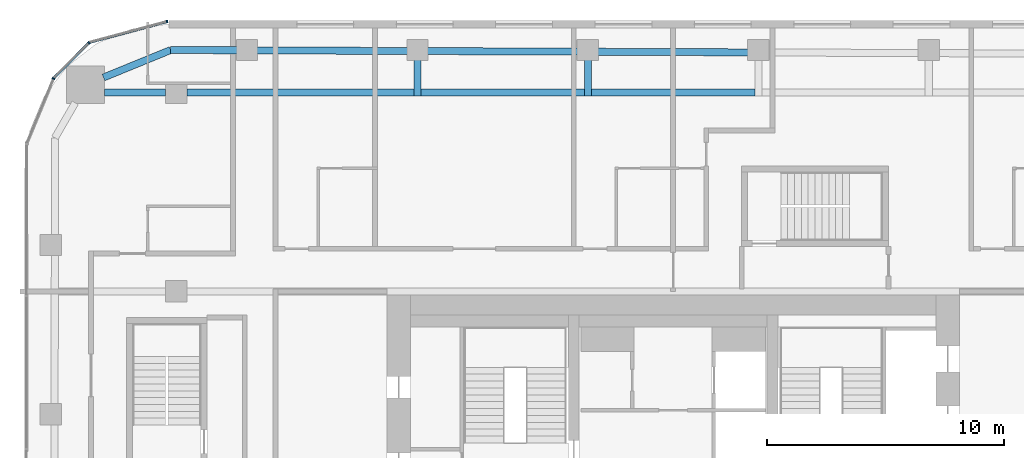
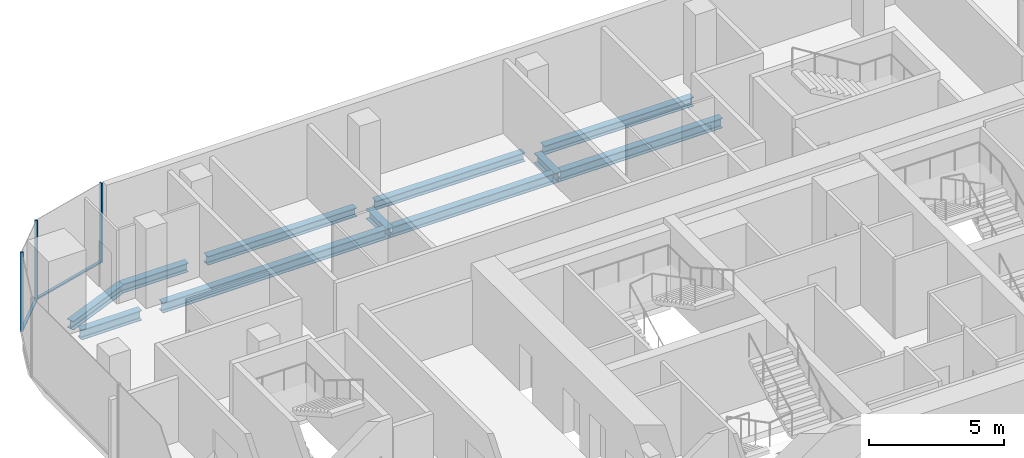
# One storey, part 10 of 23: 11 beams, 5 members, 3 elements without a shape of their own.
"""IFC4 building model written with IfcOpenShell, lengths in metres."""

from ifc_helpers import new_model, si_unit, direction, frame, origin, origin_2d, place, context, subcontext, project, spatial, rectangle, i_section, extrude, material, layer, layer_set, material_profile, profile_set, type_object, element, aggregate, save


model = new_model("IFC4")

# Units and contexts
model_context = context("Model", 3, precision=1e-05, world=origin(), true_north=direction((0.0, 1.0)))
body_context = subcontext(model_context, "Body", "Model", "MODEL_VIEW")
ifc_project = project(units=[si_unit("LENGTHUNIT", "METRE"), si_unit("AREAUNIT", "SQUARE_METRE"), si_unit("VOLUMEUNIT", "CUBIC_METRE"), si_unit("PLANEANGLEUNIT", "RADIAN"), si_unit("MASSUNIT", "GRAM", prefix="KILO")], contexts=[model_context])

# Site, building, storey
site_placement = place(None, origin())
site = spatial("IfcSite", under=ifc_project, at=site_placement, CompositionType="ELEMENT")
building_placement = place(site_placement, origin())
building = spatial("IfcBuilding", under=site, at=building_placement, Name="Marenta Gate Hotel Tower", CompositionType="ELEMENT")
storey_placement = place(building_placement, frame((0.0, 0.0, 140.89990234375)))
storey = spatial("IfcBuildingStorey", under=building, at=storey_placement, Name="L32", CompositionType="ELEMENT", Elevation=140.89990234375)

# Beams
ifc_material_1 = material(Name="Steel S355", Category="steel")
ifc_material_profile_1 = material_profile(ifc_material_1, i_section(OverallWidth=0.300048828125, OverallDepth=0.39990234375, WebThickness=0.013427734375, FlangeThickness=0.02392578125, FilletRadius=0.027099609375, at=origin_2d()), Name="HEB 400")
ifc_profile_set_1 = profile_set([ifc_material_profile_1], Name="Steel S355")
beam_type_1 = type_object("IfcBeamType", Name="Edge beam HEB 400", PredefinedType="SPANDREL", material=ifc_profile_set_1)
beam_1_placement = place(storey_placement, frame((-24.072509765625, 25.839111328125, -0.4599609375), z_axis=(0.925565978946, 0.378586342356, 0.0), x_axis=(-0.378586342356, 0.925565978946, 0.0)))
element("IfcBeam", 1, at=beam_1_placement, inside=storey, type_object=beam_type_1, Name="L32-EB-12", PredefinedType="SPANDREL", context=body_context, shape_type="SweptSolid", body=[
    extrude(i_section(OverallWidth=0.300048828125, OverallDepth=0.39990234375, WebThickness=0.013427734375, FlangeThickness=0.02392578125, FilletRadius=0.027099609375, at=origin_2d()), origin(), (0.0, 0.0, 1.0), 3.06640625),
])
beam_2_placement = place(storey_placement, frame((-21.234375, 27.0, -0.4599609375), z_axis=(0.999991706293, -0.004072756516, 0.0), x_axis=(0.004072756516, 0.999991706293, 0.0)))
element("IfcBeam", 2, at=beam_2_placement, inside=storey, type_object=beam_type_1, Name="L32-EB-13", PredefinedType="SPANDREL", context=body_context, shape_type="SweptSolid", body=[
    extrude(i_section(OverallWidth=0.300048828125, OverallDepth=0.39990234375, WebThickness=0.013427734375, FlangeThickness=0.02392578125, FilletRadius=0.027099609375, at=origin_2d()), origin(), (0.0, 0.0, 1.0), 2.8173828125),
])
beam_3_placement = place(storey_placement, frame((-17.596923828125, 26.985107421875, -0.4599609375), z_axis=(0.999991780748, -0.00405443424, 0.0), x_axis=(0.00405443424, 0.999991780748, 0.0)))
element("IfcBeam", 3, at=beam_3_placement, inside=storey, type_object=beam_type_1, Name="L32-EB-14", PredefinedType="SPANDREL", context=body_context, shape_type="SweptSolid", body=[
    extrude(i_section(OverallWidth=0.300048828125, OverallDepth=0.39990234375, WebThickness=0.013427734375, FlangeThickness=0.02392578125, FilletRadius=0.027099609375, at=origin_2d()), origin(), (0.0, 0.0, 1.0), 6.3828125),
])
beam_4_placement = place(storey_placement, frame((-10.39404296875, 26.955810546875, -0.4599609375), z_axis=(0.999991624297, -0.004092839529, 0.0), x_axis=(0.004092839529, 0.999991624297, 0.0)))
element("IfcBeam", 4, at=beam_4_placement, inside=storey, type_object=beam_type_1, Name="L32-EB-15", PredefinedType="SPANDREL", context=body_context, shape_type="SweptSolid", body=[
    extrude(i_section(OverallWidth=0.300048828125, OverallDepth=0.39990234375, WebThickness=0.013427734375, FlangeThickness=0.02392578125, FilletRadius=0.027099609375, at=origin_2d()), origin(), (0.0, 0.0, 1.0), 6.382568359375),
])
beam_5_placement = place(storey_placement, frame((-3.19140625, 26.926513671875, -0.4599609375), z_axis=(0.999991624938, -0.004092682982, 0.0), x_axis=(0.004092682982, 0.999991624938, 0.0)))
element("IfcBeam", 5, at=beam_5_placement, inside=storey, type_object=beam_type_1, Name="L32-EB-16", PredefinedType="SPANDREL", context=body_context, shape_type="SweptSolid", body=[
    extrude(i_section(OverallWidth=0.300048828125, OverallDepth=0.39990234375, WebThickness=0.013427734375, FlangeThickness=0.02392578125, FilletRadius=0.027099609375, at=origin_2d()), origin(), (0.0, 0.0, 1.0), 6.3828125),
])
ifc_material_2 = material(Name="Steel S355", Category="steel")
ifc_material_profile_2 = material_profile(ifc_material_2, i_section(OverallWidth=0.300048828125, OverallDepth=0.449951171875, WebThickness=0.013916015625, FlangeThickness=0.02587890625, FilletRadius=0.027099609375, at=origin_2d()), Name="HEB 450")
ifc_profile_set_2 = profile_set([ifc_material_profile_2], Name="Steel S355")
beam_type_2 = type_object("IfcBeamType", Name="Girder HEB 450", PredefinedType="BEAM", material=ifc_profile_set_2)
beam_6_placement = place(storey_placement, frame((-24.035400390625, 25.199951171875, -0.48486328125), z_axis=(1.0, 0.0, 0.0), x_axis=(0.0, 1.0, 0.0)))
element("IfcBeam", 6, at=beam_6_placement, inside=storey, type_object=beam_type_2, Name="L32-GD-29", PredefinedType="BEAM", context=body_context, shape_type="SweptSolid", body=[
    extrude(i_section(OverallWidth=0.300048828125, OverallDepth=0.449951171875, WebThickness=0.013916015625, FlangeThickness=0.02587890625, FilletRadius=0.027099609375, at=origin_2d()), origin(), (0.0, 0.0, 1.0), 2.58544921875),
])
beam_7_placement = place(storey_placement, frame((-20.550048828125, 25.199951171875, -0.48486328125), z_axis=(1.0, 0.0, 0.0), x_axis=(0.0, 1.0, 0.0)))
element("IfcBeam", 7, at=beam_7_placement, inside=storey, type_object=beam_type_2, Name="L32-GD-30", PredefinedType="BEAM", context=body_context, shape_type="SweptSolid", body=[
    extrude(i_section(OverallWidth=0.300048828125, OverallDepth=0.449951171875, WebThickness=0.013916015625, FlangeThickness=0.02587890625, FilletRadius=0.027099609375, at=origin_2d()), origin(), (0.0, 0.0, 1.0), 9.595947265625),
])
beam_8_placement = place(storey_placement, frame((-10.654052734375, 25.199951171875, -0.48486328125), z_axis=(1.0, 0.0, 0.0), x_axis=(0.0, 1.0, 0.0)))
element("IfcBeam", 8, at=beam_8_placement, inside=storey, type_object=beam_type_2, Name="L32-GD-31", PredefinedType="BEAM", context=body_context, shape_type="SweptSolid", body=[
    extrude(i_section(OverallWidth=0.300048828125, OverallDepth=0.449951171875, WebThickness=0.013916015625, FlangeThickness=0.02587890625, FilletRadius=0.027099609375, at=origin_2d()), origin(), (0.0, 0.0, 1.0), 6.902587890625),
])
beam_9_placement = place(storey_placement, frame((-3.451416015625, 25.199951171875, -0.48486328125), z_axis=(1.0, 0.0, 0.0), x_axis=(0.0, 1.0, 0.0)))
element("IfcBeam", 9, at=beam_9_placement, inside=storey, type_object=beam_type_2, Name="L32-GD-32", PredefinedType="BEAM", context=body_context, shape_type="SweptSolid", body=[
    extrude(i_section(OverallWidth=0.300048828125, OverallDepth=0.449951171875, WebThickness=0.013916015625, FlangeThickness=0.02587890625, FilletRadius=0.027099609375, at=origin_2d()), origin(), (0.0, 0.0, 1.0), 6.90283203125),
])
ifc_material_3 = material(Name="Steel S355", Category="steel")
ifc_material_profile_3 = material_profile(ifc_material_3, i_section(OverallWidth=0.300048828125, OverallDepth=0.449951171875, WebThickness=0.013916015625, FlangeThickness=0.02587890625, FilletRadius=0.027099609375, at=origin_2d()), Name="HEB 450")
ifc_profile_set_3 = profile_set([ifc_material_profile_3], Name="Steel S355")
beam_type_3 = type_object("IfcBeamType", Name="Girder bracket HEB 450", PredefinedType="BEAM", material=ifc_profile_set_3)
for number, where, z_axis, x_axis, name in (
    (10, (-10.80419921875, 25.050048828125, -0.48486328125), (0.0, 1.0, 0.0), (-1.0, 0.0, 0.0), "L32-GS-1"),
    (11, (-3.601318359375, 25.050048828125, -0.48486328125), (0.0, 1.0, 0.0), (-1.0, 0.0, 0.0), "L32-GS-2"),
):
    element("IfcBeam", number, at=place(storey_placement, frame(where, z_axis=z_axis, x_axis=x_axis)), inside=storey, type_object=beam_type_3, Name=name, PredefinedType="BEAM", context=body_context, shape_type="SweptSolid", body=[
        extrude(i_section(OverallWidth=0.300048828125, OverallDepth=0.449951171875, WebThickness=0.013916015625, FlangeThickness=0.02587890625, FilletRadius=0.027099609375, at=origin_2d()), origin(), (0.0, 0.0, 1.0), 1.5400390625),
    ])

# Curtain wall, member
ifc_material_4 = material(Name="Tinted insulated glass in bronze anodised frame", Category="glass")
ifc_layer = layer(ifc_material_4, 0.1201171875)
ifc_layer_set = layer_set([ifc_layer], Name="Tinted insulated glass in bronze anodised frame")
curtain_wall_type = type_object("IfcCurtainWallType", Name="Tower unitised curtain wall CW1", PredefinedType="NOTDEFINED", material=ifc_layer_set)
curtain_wall_1_placement = place(storey_placement, origin())
curtain_wall_1 = element("IfcCurtainWall", 12, at=curtain_wall_1_placement, inside=storey, type_object=curtain_wall_type, Name="CW1 run G00", PredefinedType="NOTDEFINED")
ifc_material_5 = material(Name="Bronze anodised aluminium", Category="aluminium")
ifc_material_profile_4 = material_profile(ifc_material_5, rectangle(XDim=0.1201171875, YDim=0.06005859375, at=origin_2d()), Name="Mullion CW1 60x120 bronze anodised aluminium")
ifc_profile_set_4 = profile_set([ifc_material_profile_4], Name="Bronze anodised aluminium")
member_type_1 = type_object("IfcMemberType", Name="Mullion CW1 60x120 bronze anodised aluminium", PredefinedType="MULLION", material=ifc_profile_set_4)
member_1_placement = place(storey_placement, frame((-21.385498046875, 28.203125, 0.0), z_axis=(0.0, 0.0, 1.0), x_axis=(0.258801234873, -0.96593059835, 0.0)))
member_1 = element("IfcMember", 13, at=member_1_placement, type_object=member_type_1, Name="CW1 mullion 1", PredefinedType="MULLION", context=body_context, shape_type="SweptSolid", body=[
    extrude(rectangle(XDim=0.1201171875, YDim=0.06005859375, at=origin_2d()), origin(), (0.0, 0.0, 1.0), 3.60009765625),
])

curtain_wall_2_placement = place(storey_placement, origin())
curtain_wall_2 = element("IfcCurtainWall", 14, at=curtain_wall_2_placement, inside=storey, type_object=curtain_wall_type, Name="CW1 run G01", PredefinedType="NOTDEFINED")
member_2_placement = place(storey_placement, frame((-24.68798828125, 27.302978515625, 0.0), z_axis=(0.0, 0.0, 1.0), x_axis=(0.707106781187, -0.707106781187, 0.0)))
member_2 = element("IfcMember", 15, at=member_2_placement, type_object=member_type_1, Name="CW1 mullion 1", PredefinedType="MULLION", context=body_context, shape_type="SweptSolid", body=[
    extrude(rectangle(XDim=0.1201171875, YDim=0.06005859375, at=origin_2d()), origin(), (0.0, 0.0, 1.0), 3.60009765625),
])

curtain_wall_3_placement = place(storey_placement, origin())
curtain_wall_3 = element("IfcCurtainWall", 16, at=curtain_wall_3_placement, inside=storey, type_object=curtain_wall_type, Name="CW1 run G02", PredefinedType="NOTDEFINED")
member_3_placement = place(storey_placement, frame((-26.183837890625, 25.790771484375, 0.0), z_axis=(0.0, 0.0, 1.0), x_axis=(0.923884278178, -0.382671975111, 0.0)))
member_3 = element("IfcMember", 17, at=member_3_placement, type_object=member_type_1, Name="CW1 mullion 1", PredefinedType="MULLION", context=body_context, shape_type="SweptSolid", body=[
    extrude(rectangle(XDim=0.1201171875, YDim=0.06005859375, at=origin_2d()), origin(), (0.0, 0.0, 1.0), 3.60009765625),
])
aggregate(curtain_wall_3, [member_3])

# Member
ifc_material_6 = material(Name="Bronze anodised aluminium", Category="aluminium")
ifc_material_profile_5 = material_profile(ifc_material_6, rectangle(XDim=0.1201171875, YDim=0.06005859375, at=origin_2d()), Name="Transom CW1 60x120 bronze anodised aluminium")
ifc_profile_set_5 = profile_set([ifc_material_profile_5], Name="Bronze anodised aluminium")
member_type_2 = type_object("IfcMemberType", Name="Transom CW1 60x120 bronze anodised aluminium", PredefinedType="USERDEFINED", material=ifc_profile_set_5)
member_4_placement = place(storey_placement, frame((-21.41455078125, 28.195556640625, 0.030029296875), z_axis=(-0.965932192411, -0.258795285243, 0.0), x_axis=(0.258795285243, -0.965932192411, 0.0)))
member_4 = element("IfcMember", 18, at=member_4_placement, type_object=member_type_2, Name="CW1 transom 1.1", ObjectType="TRANSOM", PredefinedType="USERDEFINED", context=body_context, shape_type="SweptSolid", body=[
    extrude(rectangle(XDim=0.1201171875, YDim=0.06005859375, at=origin_2d()), origin(), (0.0, 0.0, 1.0), 3.366943359375),
])

aggregate(curtain_wall_1, [member_1, member_4])

member_5_placement = place(storey_placement, frame((-24.709228515625, 27.28173828125, 0.030029296875), z_axis=(-0.707106781187, -0.707106781187, 0.0), x_axis=(0.707106781187, -0.707106781187, 0.0)))
member_5 = element("IfcMember", 19, at=member_5_placement, type_object=member_type_2, Name="CW1 transom 1.1", ObjectType="TRANSOM", PredefinedType="USERDEFINED", context=body_context, shape_type="SweptSolid", body=[
    extrude(rectangle(XDim=0.1201171875, YDim=0.06005859375, at=origin_2d()), origin(), (0.0, 0.0, 1.0), 2.069091796875),
])

aggregate(curtain_wall_2, [member_2, member_5])

save(model, "model.ifc")
